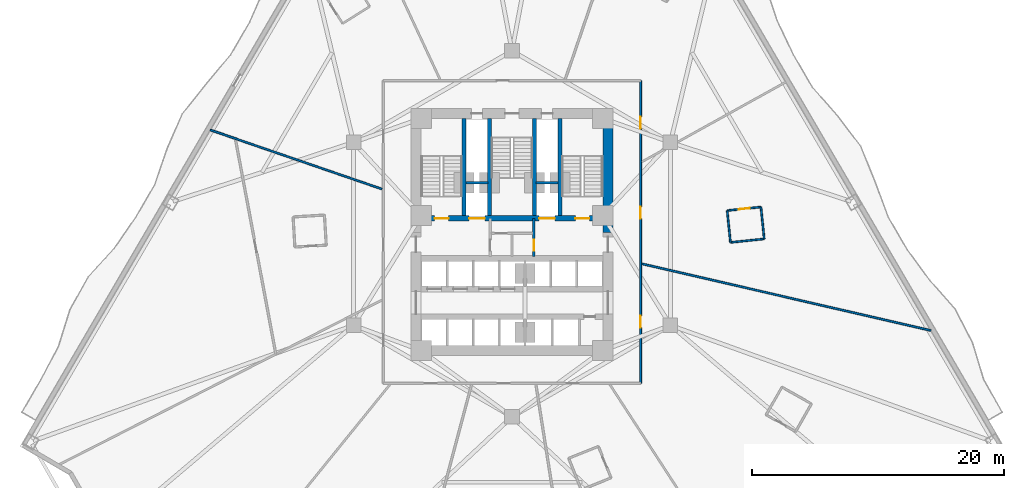
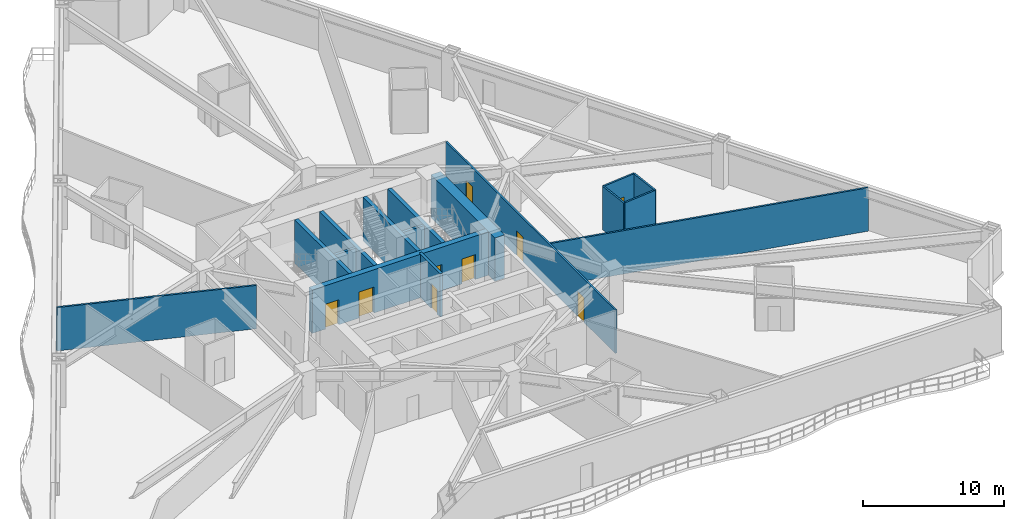
# One storey, part 5 of 12: 16 walls, 9 doors, 9 openings.
"""IFC4 building model written with IfcOpenShell, lengths in metres."""

from ifc_helpers import new_model, si_unit, direction, frame, frame_2d, origin, place, context, subcontext, project, spatial, rectangle, extrude, material, layer, layer_set, type_object, element, fill, save


model = new_model("IFC4")

# Units and contexts
model_context = context("Model", 3, precision=1e-05, world=origin(), true_north=direction((0.0, 1.0)))
body_context = subcontext(model_context, "Body", "Model", "MODEL_VIEW")
ifc_project = project(units=[si_unit("LENGTHUNIT", "METRE"), si_unit("AREAUNIT", "SQUARE_METRE"), si_unit("VOLUMEUNIT", "CUBIC_METRE"), si_unit("PLANEANGLEUNIT", "RADIAN"), si_unit("MASSUNIT", "GRAM", prefix="KILO")], contexts=[model_context])

# Site, building, storey
site_placement = place(None, origin())
site = spatial("IfcSite", under=ifc_project, at=site_placement, CompositionType="ELEMENT")
building_placement = place(site_placement, origin())
building = spatial("IfcBuilding", under=site, at=building_placement, Name="Apsidion Concourse Tower", CompositionType="ELEMENT")
storey_placement = place(building_placement, frame((0.0, 0.0, 42.39990234375)))
storey = spatial("IfcBuildingStorey", under=building, at=storey_placement, Name="L08", CompositionType="ELEMENT", Elevation=42.39990234375)

# Walls
ifc_material_1 = material(Name="Gypsum plasterboard partition")
ifc_layer_1 = layer(ifc_material_1, 0.139892578125)
ifc_layer_set_1 = layer_set([ifc_layer_1], Name="Gypsum plasterboard partition")
wall_type_1 = type_object("IfcWallType", Name="WL-INT-PAR-140", PredefinedType="PARTITIONING", material=ifc_layer_set_1)
wall_1_placement = place(storey_placement, frame((17.3173828125, -0.6806640625, 0.0), z_axis=(0.0, 0.0, 1.0), x_axis=(0.994708437569, 0.102738134245, 0.0)))
element("IfcWall", 1, at=wall_1_placement, inside=storey, type_object=wall_type_1, Name="L08 Interior Partition WL-L08-POD-ENS06-S1", PredefinedType="PARTITIONING", context=body_context, shape_type="SweptSolid", body=[
    extrude(rectangle(XDim=2.68994140625, YDim=0.139892578125, at=frame_2d((1.344970703125, 0.0))), origin(), (0.0, 0.0, 1.0), 3.75),
])
wall_2_placement = place(storey_placement, frame((19.9931640625, -0.404296875, 0.0), z_axis=(0.0, 0.0, 1.0), x_axis=(-0.102748303881, 0.994707387149, 0.0)))
element("IfcWall", 2, at=wall_2_placement, inside=storey, type_object=wall_type_1, Name="L08 Interior Partition WL-L08-POD-ENS06-S2", PredefinedType="PARTITIONING", context=body_context, shape_type="SweptSolid", body=[
    extrude(rectangle(XDim=2.5400390625, YDim=0.139892578125, at=frame_2d((1.27001953125, 0.0))), origin(), (0.0, 0.0, 1.0), 3.75),
])

# Wall, opening, door
wall_3_placement = place(storey_placement, frame((19.732177734375, 2.122314453125, 0.0), z_axis=(0.0, 0.0, 1.0), x_axis=(-0.994699158628, -0.102827933095, 0.0)))
wall_3 = element("IfcWall", 3, at=wall_3_placement, inside=storey, type_object=wall_type_1, Name="L08 Interior Partition WL-L08-POD-ENS06-S3", PredefinedType="PARTITIONING", context=body_context, shape_type="SweptSolid", body=[
    extrude(rectangle(XDim=2.68994140625, YDim=0.139892578125, at=frame_2d((1.344970703125, 0.0))), origin(), (0.0, 0.0, 1.0), 3.75),
])
opening_1_placement = place(wall_3_placement, frame((0.905029296875, 0.0, 0.0)))
opening_1 = element("IfcOpeningElement", 4, at=opening_1_placement, cuts=wall_3, Name="Opening D-03L", PredefinedType="OPENING", context=body_context, shape_type="SweptSolid", body=[
    extrude(rectangle(XDim=0.8798828125, YDim=2.10009765625, at=frame_2d((0.43994140625, 1.050048828125))), frame((0.0, 0.080078125, 0.0), z_axis=(0.0, -1.0, 0.0), x_axis=(1.0, 0.0, 0.0)), (0.0, 0.0, 1.0), 0.159912109375),
])
ifc_material_2 = material(Name="Anodised aluminium EN AW-6063 T6", Category="aluminium")
door_type_1 = type_object("IfcDoorType", Name="DR-INT-D03L", OperationType="SINGLE_SWING_LEFT", PredefinedType="DOOR", material=ifc_material_2)
door_1_placement = place(opening_1_placement, origin())
door_1 = element("IfcDoor", 5, at=door_1_placement, inside=storey, type_object=door_type_1, Name="L08 Guest En-Suite Bathroom Door ENS06", OperationType="SINGLE_SWING_LEFT", OverallHeight=2.10009765625, OverallWidth=0.8798828125, PredefinedType="DOOR", context=body_context, shape_type="SweptSolid", body=[
    extrude(rectangle(XDim=0.8798828125, YDim=2.10009765625, at=frame_2d((0.43994140625, 1.050048828125))), frame((0.0, 0.02490234375, 0.0), z_axis=(0.0, -1.0, 0.0), x_axis=(1.0, 0.0, 0.0)), (0.0, 0.0, 1.0), 0.050048828125),
])
fill(opening_1, door_1)

# Wall
wall_4_placement = place(storey_placement, frame((17.056396484375, 1.845703125, 0.0), z_axis=(0.0, 0.0, 1.0), x_axis=(0.102758128331, -0.994706372284, 0.0)))
element("IfcWall", 6, at=wall_4_placement, inside=storey, type_object=wall_type_1, Name="L08 Interior Partition WL-L08-POD-ENS06-S4", PredefinedType="PARTITIONING", context=body_context, shape_type="SweptSolid", body=[
    extrude(rectangle(XDim=2.539794921875, YDim=0.139892578125, at=frame_2d((1.27001953125, 0.0))), origin(), (0.0, 0.0, 1.0), 3.75),
])

# Wall, openings, doors
ifc_layer_2 = layer(ifc_material_1, 0.14990234375)
ifc_layer_set_2 = layer_set([ifc_layer_2], Name="Gypsum plasterboard partition")
wall_type_2 = type_object("IfcWallType", Name="WL-INT-PAR-150", PredefinedType="PARTITIONING", material=ifc_layer_set_2)
wall_5_placement = place(storey_placement, frame((10.199951171875, 12.14990234375, 0.0), z_axis=(0.0, 0.0, 1.0), x_axis=(0.0, -1.0, 0.0)))
wall_5 = element("IfcWall", 7, at=wall_5_placement, inside=storey, type_object=wall_type_2, Name="L08 Interior Partition WL-L08-CORR-02", PredefinedType="PARTITIONING", context=body_context, shape_type="SweptSolid", body=[
    extrude(rectangle(XDim=24.0, YDim=0.14990234375, at=frame_2d((12.0, 0.0))), origin(), (0.0, 0.0, 1.0), 3.75),
])
opening_2_placement = place(wall_5_placement, frame((18.66015625, 0.0, 0.0)))
opening_2 = element("IfcOpeningElement", 8, at=opening_2_placement, cuts=wall_5, Name="Opening D-01R", PredefinedType="OPENING", context=body_context, shape_type="SweptSolid", body=[
    extrude(rectangle(XDim=0.949951171875, YDim=2.14990234375, at=frame_2d((0.47509765625, 1.074951171875))), frame((0.0, 0.0849609375, 0.0), z_axis=(0.0, -1.0, 0.0), x_axis=(1.0, 0.0, 0.0)), (0.0, 0.0, 1.0), 0.169921875),
])
opening_3_placement = place(wall_5_placement, frame((10.010498046875, 0.0, 0.0)))
opening_3 = element("IfcOpeningElement", 9, at=opening_3_placement, cuts=wall_5, Name="Opening D-01L", PredefinedType="OPENING", context=body_context, shape_type="SweptSolid", body=[
    extrude(rectangle(XDim=0.949951171875, YDim=2.14990234375, at=frame_2d((0.47509765625, 1.074951171875))), frame((0.0, 0.0849609375, 0.0), z_axis=(0.0, -1.0, 0.0), x_axis=(1.0, 0.0, 0.0)), (0.0, 0.0, 1.0), 0.169921875),
])
opening_4_placement = place(wall_5_placement, frame((2.873046875, 0.0, 0.0)))
opening_4 = element("IfcOpeningElement", 10, at=opening_4_placement, cuts=wall_5, Name="Opening D-01R", PredefinedType="OPENING", context=body_context, shape_type="SweptSolid", body=[
    extrude(rectangle(XDim=0.949951171875, YDim=2.14990234375, at=frame_2d((0.47509765625, 1.074951171875))), frame((0.0, 0.0849609375, 0.0), z_axis=(0.0, -1.0, 0.0), x_axis=(1.0, 0.0, 0.0)), (0.0, 0.0, 1.0), 0.169921875),
])
ifc_material_3 = material(Name="Brushed stainless steel 316", Category="steel")
door_type_2 = type_object("IfcDoorType", Name="DR-INT-D01L", OperationType="SINGLE_SWING_LEFT", PredefinedType="DOOR", material=ifc_material_3)
door_2_placement = place(opening_3_placement, origin())
door_2 = element("IfcDoor", 11, at=door_2_placement, inside=storey, type_object=door_type_2, Name="L08 Corridor Entry Door 07", OperationType="SINGLE_SWING_LEFT", OverallHeight=2.14990234375, OverallWidth=0.949951171875, PredefinedType="DOOR", context=body_context, shape_type="SweptSolid", body=[
    extrude(rectangle(XDim=0.949951171875, YDim=2.14990234375, at=frame_2d((0.47509765625, 1.074951171875))), frame((0.0, 0.02490234375, 0.0), z_axis=(0.0, -1.0, 0.0), x_axis=(1.0, 0.0, 0.0)), (0.0, 0.0, 1.0), 0.050048828125),
])
fill(opening_3, door_2)
door_type_3 = type_object("IfcDoorType", Name="DR-INT-D01R", OperationType="SINGLE_SWING_RIGHT", PredefinedType="DOOR", material=ifc_material_3)
door_3_placement = place(opening_2_placement, origin())
door_3 = element("IfcDoor", 12, at=door_3_placement, inside=storey, type_object=door_type_3, Name="L08 Corridor Entry Door 06", OperationType="SINGLE_SWING_RIGHT", OverallHeight=2.14990234375, OverallWidth=0.949951171875, PredefinedType="DOOR", context=body_context, shape_type="SweptSolid", body=[
    extrude(rectangle(XDim=0.949951171875, YDim=2.14990234375, at=frame_2d((0.47509765625, 1.074951171875))), frame((0.0, 0.02490234375, 0.0), z_axis=(0.0, -1.0, 0.0), x_axis=(1.0, 0.0, 0.0)), (0.0, 0.0, 1.0), 0.050048828125),
])
fill(opening_2, door_3)
door_4_placement = place(opening_4_placement, origin())
door_4 = element("IfcDoor", 13, at=door_4_placement, inside=storey, type_object=door_type_3, Name="L08 Corridor Entry Door 08", OperationType="SINGLE_SWING_RIGHT", OverallHeight=2.14990234375, OverallWidth=0.949951171875, PredefinedType="DOOR", context=body_context, shape_type="SweptSolid", body=[
    extrude(rectangle(XDim=0.949951171875, YDim=2.14990234375, at=frame_2d((0.47509765625, 1.074951171875))), frame((0.0, 0.02490234375, 0.0), z_axis=(0.0, -1.0, 0.0), x_axis=(1.0, 0.0, 0.0)), (0.0, 0.0, 1.0), 0.050048828125),
])
fill(opening_4, door_4)

# Walls
wall_6_placement = place(storey_placement, frame((-10.304931640625, 3.54833984375, 0.0), z_axis=(0.0, 0.0, 1.0), x_axis=(-0.94551936362, 0.32556586587, 0.0)))
element("IfcWall", 14, at=wall_6_placement, inside=storey, type_object=wall_type_2, Name="L08 Interior Partition WL-L08-RAD-04-1", PredefinedType="PARTITIONING", context=body_context, shape_type="SweptSolid", body=[
    extrude(rectangle(XDim=14.400146484375, YDim=0.14990234375, at=frame_2d((7.2001953125, 0.0))), origin(), (0.0, 0.0, 1.0), 3.75),
])
wall_7_placement = place(storey_placement, frame((10.304931640625, -2.379150390625, 0.0), z_axis=(0.0, 0.0, 1.0), x_axis=(0.974372109456, -0.224942197717, 0.0)))
element("IfcWall", 15, at=wall_7_placement, inside=storey, type_object=wall_type_2, Name="L08 Interior Partition WL-L08-RAD-10-1", PredefinedType="PARTITIONING", context=body_context, shape_type="SweptSolid", body=[
    extrude(rectangle(XDim=23.503173828125, YDim=0.14990234375, at=frame_2d((11.75146484375, 0.0))), origin(), (0.0, 0.0, 1.0), 3.75),
])
ifc_layer_3 = layer(ifc_material_1, 0.199951171875)
ifc_layer_set_3 = layer_set([ifc_layer_3], Name="Gypsum plasterboard partition")
wall_type_3 = type_object("IfcWallType", Name="WL-INT-PAR-200", PredefinedType="PARTITIONING", material=ifc_layer_set_3)
for number, where, z_axis, x_axis, name in (
    (16, (-3.64990234375, 4.050048828125, 0.0), (0.0, 0.0, 1.0), (1.0, 0.0, 0.0), "L08 Interior Partition WL-L08-FF1-N"),
    (17, (1.919921875, 4.050048828125, 0.0), (0.0, 0.0, 1.0), (1.0, 0.0, 0.0), "L08 Interior Partition WL-L08-FF2-N"),
):
    element("IfcWall", number, at=place(storey_placement, frame(where, z_axis=z_axis, x_axis=x_axis)), inside=storey, type_object=wall_type_3, Name=name, PredefinedType="PARTITIONING", context=body_context, shape_type="SweptSolid", body=[
        extrude(rectangle(XDim=1.72998046875, YDim=0.199951171875, at=frame_2d((0.864990234375, 0.0))), origin(), (0.0, 0.0, 1.0), 3.75),
    ])

# Wall, opening, door
wall_8_placement = place(storey_placement, frame((1.739990234375, -1.780029296875, 0.0), z_axis=(0.0, 0.0, 1.0), x_axis=(0.0, 1.0, 0.0)))
wall_8 = element("IfcWall", 18, at=wall_8_placement, inside=storey, type_object=wall_type_3, Name="L08 Interior Partition WL-L08-FF2-W", PredefinedType="PARTITIONING", context=body_context, shape_type="SweptSolid", body=[
    extrude(rectangle(XDim=2.97998046875, YDim=0.199951171875, at=frame_2d((1.489990234375, 0.0))), origin(), (0.0, 0.0, 1.0), 3.75),
])
opening_5_placement = place(wall_8_placement, frame((0.419921875, 0.0, 0.0)))
opening_5 = element("IfcOpeningElement", 19, at=opening_5_placement, cuts=wall_8, Name="Opening D-05L", PredefinedType="OPENING", context=body_context, shape_type="SweptSolid", body=[
    extrude(rectangle(XDim=0.8798828125, YDim=2.14990234375, at=frame_2d((0.43994140625, 1.074951171875))), frame((0.0, 0.10986328125, 0.0), z_axis=(0.0, -1.0, 0.0), x_axis=(1.0, 0.0, 0.0)), (0.0, 0.0, 1.0), 0.219970703125),
])
door_type_4 = type_object("IfcDoorType", Name="DR-INT-D05L", OperationType="SINGLE_SWING_LEFT", PredefinedType="DOOR", material=ifc_material_3)
door_5_placement = place(opening_5_placement, origin())
door_5 = element("IfcDoor", 20, at=door_5_placement, inside=storey, type_object=door_type_4, Name="L08 Core First Aid Door", OperationType="SINGLE_SWING_LEFT", OverallHeight=2.14990234375, OverallWidth=0.8798828125, PredefinedType="DOOR", context=body_context, shape_type="SweptSolid", body=[
    extrude(rectangle(XDim=0.8798828125, YDim=2.14990234375, at=frame_2d((0.43994140625, 1.074951171875))), frame((0.0, 0.02490234375, 0.0), z_axis=(0.0, -1.0, 0.0), x_axis=(1.0, 0.0, 0.0)), (0.0, 0.0, 1.0), 0.050048828125),
])
fill(opening_5, door_5)

# Walls
ifc_material_4 = material(Name="Concrete C50/60", Category="concrete")
ifc_layer_4 = layer(ifc_material_4, 0.300048828125)
ifc_layer_set_4 = layer_set([ifc_layer_4], Name="Concrete C50/60")
wall_type_4 = type_object("IfcWallType", Name="WL-SH-300", PredefinedType="SHEAR", material=ifc_layer_set_4)
for number, where, z_axis, x_axis, name in (
    (21, (-3.800048828125, 1.449951171875, 0.0), (0.0, 0.0, 1.0), (0.0, 1.0, 0.0), "L08 Central Core Shear Wall V1"),
    (22, (-1.77490234375, 1.449951171875, 0.0), (0.0, 0.0, 1.0), (0.0, 1.0, 0.0), "L08 Central Core Shear Wall V2"),
    (23, (1.77490234375, 1.449951171875, 0.0), (0.0, 0.0, 1.0), (0.0, 1.0, 0.0), "L08 Central Core Shear Wall V3"),
    (24, (3.800048828125, 1.449951171875, 0.0), (0.0, 0.0, 1.0), (0.0, 1.0, 0.0), "L08 Central Core Shear Wall V4"),
):
    element("IfcWall", number, at=place(storey_placement, frame(where, z_axis=z_axis, x_axis=x_axis)), inside=storey, type_object=wall_type_4, Name=name, PredefinedType="SHEAR", context=body_context, shape_type="SweptSolid", body=[
        extrude(rectangle(XDim=7.699951171875, YDim=0.300048828125, at=frame_2d((3.85009765625, 0.0))), origin(), (0.0, 0.0, 1.0), 3.75),
    ])

# Wall, openings, doors
ifc_material_5 = material(Name="Concrete C60/75", Category="concrete")
ifc_layer_5 = layer(ifc_material_5, 0.449951171875)
ifc_layer_set_5 = layer_set([ifc_layer_5], Name="Concrete C60/75")
wall_type_5 = type_object("IfcWallType", Name="WL-SH-450", PredefinedType="SHEAR", material=ifc_layer_set_5)
wall_9_placement = place(storey_placement, frame((-7.199951171875, 1.22509765625, 0.0), z_axis=(0.0, 0.0, 1.0), x_axis=(1.0, 0.0, 0.0)))
wall_9 = element("IfcWall", 25, at=wall_9_placement, inside=storey, type_object=wall_type_5, Name="L08 Central Core Shear Wall M1", PredefinedType="SHEAR", context=body_context, shape_type="SweptSolid", body=[
    extrude(rectangle(XDim=14.39990234375, YDim=0.449951171875, at=frame_2d((7.199951171875, 0.0))), origin(), (0.0, 0.0, 1.0), 3.75),
])
opening_6_placement = place(wall_9_placement, frame((3.794921875, 0.0, 0.0)))
opening_6 = element("IfcOpeningElement", 26, at=opening_6_placement, cuts=wall_9, Name="Opening LD-FF", PredefinedType="OPENING", context=body_context, shape_type="SweptSolid", body=[
    extrude(rectangle(XDim=1.25, YDim=2.25, at=frame_2d((0.625, 1.125))), frame((0.0, 0.23486328125, 0.0), z_axis=(0.0, -1.0, 0.0), x_axis=(1.0, 0.0, 0.0)), (0.0, 0.0, 1.0), 0.469970703125),
])
opening_7_placement = place(wall_9_placement, frame((9.35498046875, 0.0, 0.0)))
opening_7 = element("IfcOpeningElement", 27, at=opening_7_placement, cuts=wall_9, Name="Opening LD-FF", PredefinedType="OPENING", context=body_context, shape_type="SweptSolid", body=[
    extrude(rectangle(XDim=1.25, YDim=2.25, at=frame_2d((0.625, 1.125))), frame((0.0, 0.23486328125, 0.0), z_axis=(0.0, -1.0, 0.0), x_axis=(1.0, 0.0, 0.0)), (0.0, 0.0, 1.0), 0.469970703125),
])
opening_8_placement = place(wall_9_placement, frame((1.074951171875, 0.0, 0.0)))
opening_8 = element("IfcOpeningElement", 28, at=opening_8_placement, cuts=wall_9, Name="Opening D-STL", PredefinedType="OPENING", context=body_context, shape_type="SweptSolid", body=[
    extrude(rectangle(XDim=1.10009765625, YDim=2.14990234375, at=frame_2d((0.550048828125, 1.074951171875))), frame((0.0, 0.23486328125, 0.0), z_axis=(0.0, -1.0, 0.0), x_axis=(1.0, 0.0, 0.0)), (0.0, 0.0, 1.0), 0.469970703125),
])
opening_9_placement = place(wall_9_placement, frame((12.22509765625, 0.0, 0.0)))
opening_9 = element("IfcOpeningElement", 29, at=opening_9_placement, cuts=wall_9, Name="Opening D-STR", PredefinedType="OPENING", context=body_context, shape_type="SweptSolid", body=[
    extrude(rectangle(XDim=1.10009765625, YDim=2.14990234375, at=frame_2d((0.550048828125, 1.074951171875))), frame((0.0, 0.23486328125, 0.0), z_axis=(0.0, -1.0, 0.0), x_axis=(1.0, 0.0, 0.0)), (0.0, 0.0, 1.0), 0.469970703125),
])
door_type_5 = type_object("IfcDoorType", Name="DR-INT-ST1L", OperationType="SINGLE_SWING_LEFT", PredefinedType="DOOR", material=ifc_material_3)
door_6_placement = place(opening_8_placement, origin())
door_6 = element("IfcDoor", 30, at=door_6_placement, inside=storey, type_object=door_type_5, Name="L08 Core Exit Stair ST1 Door", OperationType="SINGLE_SWING_LEFT", OverallHeight=2.14990234375, OverallWidth=1.10009765625, PredefinedType="DOOR", context=body_context, shape_type="SweptSolid", body=[
    extrude(rectangle(XDim=1.10009765625, YDim=2.14990234375, at=frame_2d((0.550048828125, 1.074951171875))), frame((0.0, 0.02490234375, 0.0), z_axis=(0.0, -1.0, 0.0), x_axis=(1.0, 0.0, 0.0)), (0.0, 0.0, 1.0), 0.050048828125),
])
fill(opening_8, door_6)
door_type_6 = type_object("IfcDoorType", Name="DR-INT-ST1R", OperationType="SINGLE_SWING_RIGHT", PredefinedType="DOOR", material=ifc_material_3)
door_7_placement = place(opening_9_placement, origin())
door_7 = element("IfcDoor", 31, at=door_7_placement, inside=storey, type_object=door_type_6, Name="L08 Core Exit Stair ST2 Door", OperationType="SINGLE_SWING_RIGHT", OverallHeight=2.14990234375, OverallWidth=1.10009765625, PredefinedType="DOOR", context=body_context, shape_type="SweptSolid", body=[
    extrude(rectangle(XDim=1.10009765625, YDim=2.14990234375, at=frame_2d((0.550048828125, 1.074951171875))), frame((0.0, 0.02490234375, 0.0), z_axis=(0.0, -1.0, 0.0), x_axis=(1.0, 0.0, 0.0)), (0.0, 0.0, 1.0), 0.050048828125),
])
fill(opening_9, door_7)
door_type_7 = type_object("IfcDoorType", Name="DR-LD-FSAE", OperationType="DOUBLE_DOOR_SLIDING", PredefinedType="DOOR", material=ifc_material_3)
door_8_placement = place(opening_6_placement, origin())
door_8 = element("IfcDoor", 32, at=door_8_placement, inside=storey, type_object=door_type_7, Name="L08 Lift Landing Door FF1", OperationType="DOUBLE_DOOR_SLIDING", OverallHeight=2.25, OverallWidth=1.25, PredefinedType="DOOR", context=body_context, shape_type="SweptSolid", body=[
    extrude(rectangle(XDim=1.25, YDim=2.25, at=frame_2d((0.625, 1.125))), frame((0.0, 0.02490234375, 0.0), z_axis=(0.0, -1.0, 0.0), x_axis=(1.0, 0.0, 0.0)), (0.0, 0.0, 1.0), 0.050048828125),
])
fill(opening_6, door_8)
door_9_placement = place(opening_7_placement, origin())
door_9 = element("IfcDoor", 33, at=door_9_placement, inside=storey, type_object=door_type_7, Name="L08 Lift Landing Door FF2", OperationType="DOUBLE_DOOR_SLIDING", OverallHeight=2.25, OverallWidth=1.25, PredefinedType="DOOR", context=body_context, shape_type="SweptSolid", body=[
    extrude(rectangle(XDim=1.25, YDim=2.25, at=frame_2d((0.625, 1.125))), frame((0.0, 0.02490234375, 0.0), z_axis=(0.0, -1.0, 0.0), x_axis=(1.0, 0.0, 0.0)), (0.0, 0.0, 1.0), 0.050048828125),
])
fill(opening_7, door_9)

# Wall
ifc_layer_6 = layer(ifc_material_5, 0.800048828125)
ifc_layer_set_6 = layer_set([ifc_layer_6], Name="Concrete C60/75")
wall_type_6 = type_object("IfcWallType", Name="WL-SH-800", PredefinedType="SHEAR", material=ifc_layer_set_6)
wall_10_placement = place(storey_placement, frame((7.60009765625, 0.10009765625, 0.0), z_axis=(0.0, 0.0, 1.0), x_axis=(0.0, 1.0, 0.0)))
element("IfcWall", 34, at=wall_10_placement, inside=storey, type_object=wall_type_6, Name="L08 Central Core Shear Wall EN", PredefinedType="SHEAR", context=body_context, shape_type="SweptSolid", body=[
    extrude(rectangle(XDim=9.0498046875, YDim=0.800048828125, at=frame_2d((4.52490234375, 0.0))), origin(), (0.0, 0.0, 1.0), 3.75),
])

save(model, "model.ifc")
